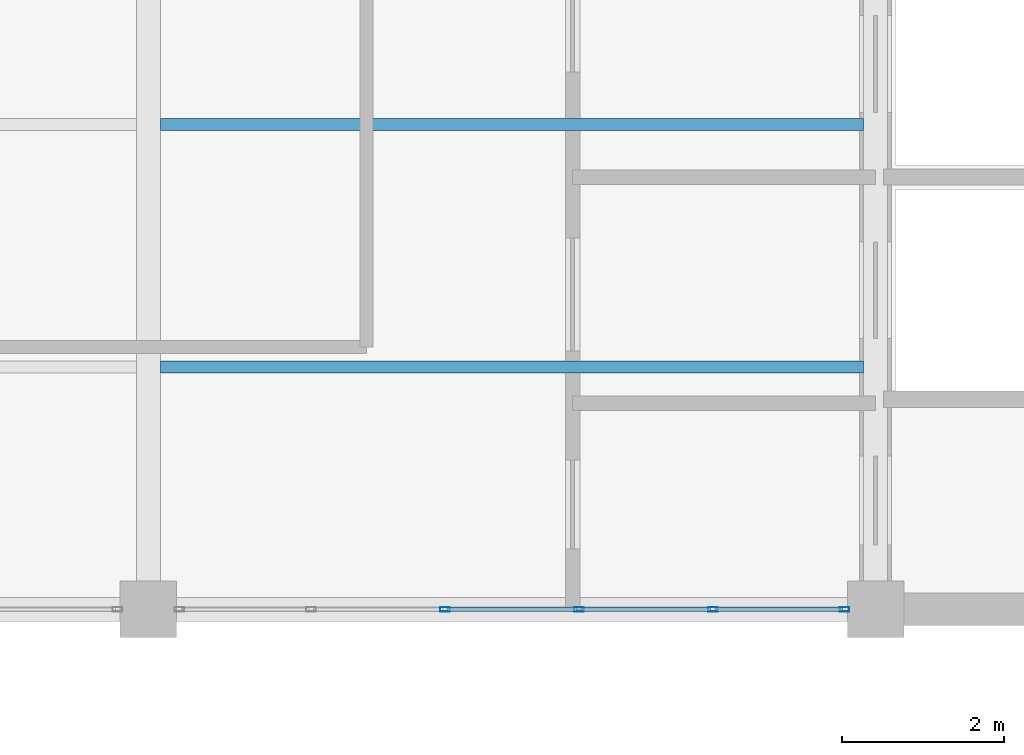
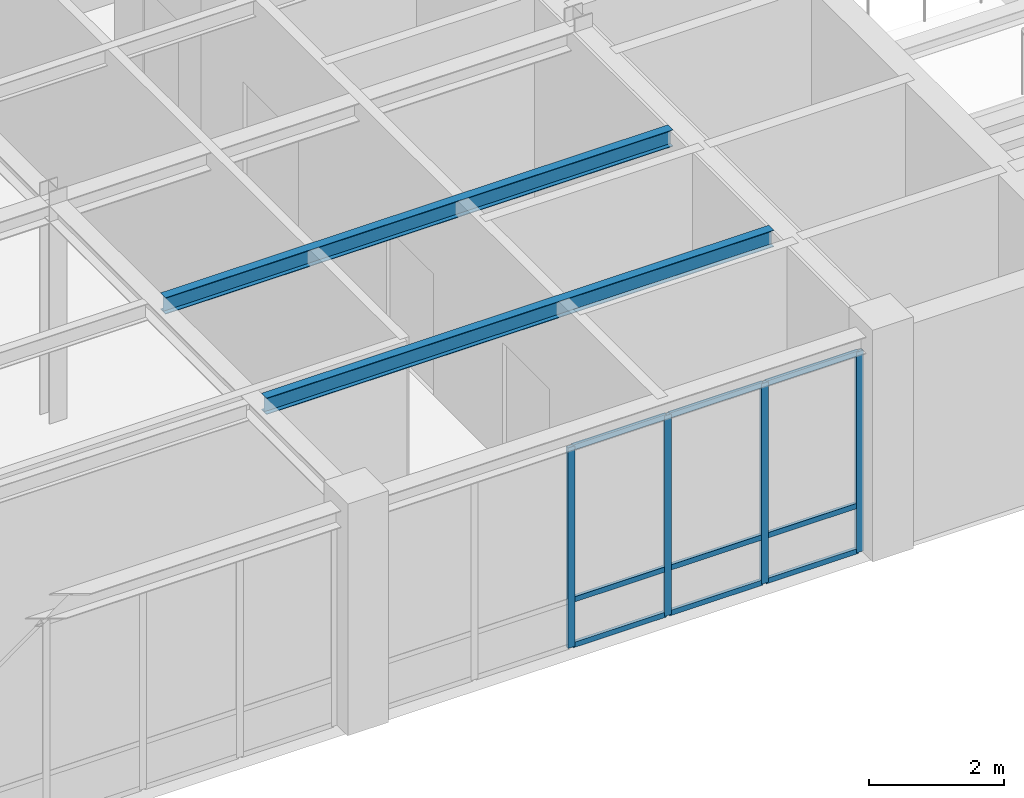
# One storey, part 71 of 108: 13 members, 2 beams, 1 element without a shape of its own.
"""IFC4 building model written with IfcOpenShell, lengths in metres."""

from ifc_helpers import new_model, si_unit, direction, frame, origin, origin_2d, place, context, subcontext, project, spatial, hollow_rectangle, i_section, extrude, material, material_profile, profile_set, type_object, element, aggregate, save


model = new_model("IFC4")

# Units and contexts
model_context = context("Model", 3, precision=1e-05, world=origin(), true_north=direction((0.0, 1.0)))
body_context = subcontext(model_context, "Body", "Model", "MODEL_VIEW")
ifc_project = project(units=[si_unit("LENGTHUNIT", "METRE"), si_unit("AREAUNIT", "SQUARE_METRE"), si_unit("VOLUMEUNIT", "CUBIC_METRE"), si_unit("PLANEANGLEUNIT", "RADIAN"), si_unit("MASSUNIT", "GRAM", prefix="KILO")], contexts=[model_context])

# Site, building, storey
site_placement = place(None, origin())
site = spatial("IfcSite", under=ifc_project, at=site_placement, CompositionType="ELEMENT")
building_placement = place(site_placement, origin())
building = spatial("IfcBuilding", under=site, at=building_placement, Name="Lykobir Media Centre", CompositionType="ELEMENT")
storey_placement = place(building_placement, frame((0.0, 0.0, 15.0)))
storey = spatial("IfcBuildingStorey", under=building, at=storey_placement, Name="L03", CompositionType="ELEMENT", Elevation=15.0)

# Curtain wall, members
ifc_material_1 = material(Name="Anodized Aluminium AW-6060", Category="aluminium")
curtain_wall_type = type_object("IfcCurtainWallType", Name="CW-COURT-B", PredefinedType="NOTDEFINED", material=ifc_material_1)
curtain_wall_placement = place(storey_placement, origin())
curtain_wall = element("IfcCurtainWall", 1, at=curtain_wall_placement, inside=storey, type_object=curtain_wall_type, Name="Curtain wall CW2-L03-0148", PredefinedType="NOTDEFINED")
ifc_material_profile_1 = material_profile(ifc_material_1, hollow_rectangle(XDim=0.054931640625, YDim=0.1201171875, WallThickness=0.003173828125, at=origin_2d()), Name="ALU MULLION 55x120")
ifc_profile_set_1 = profile_set([ifc_material_profile_1], Name="Anodized Aluminium AW-6060")
member_type_1 = type_object("IfcMemberType", Name="CWM-120", PredefinedType="MULLION", material=ifc_profile_set_1)
member_1_placement = place(storey_placement, frame((125.617431640625, 72.0, 0.0), z_axis=(0.0, 0.0, 1.0), x_axis=(0.0, -1.0, 0.0)))
member_1 = element("IfcMember", 2, at=member_1_placement, type_object=member_type_1, Name="CW2-L03-0148 mullion 1", PredefinedType="MULLION", context=body_context, shape_type="SweptSolid", body=[
    extrude(hollow_rectangle(XDim=0.054931640625, YDim=0.1201171875, WallThickness=0.003173828125, at=origin_2d()), origin(), (0.0, 0.0, 1.0), 3.635009765625),
])
member_2_placement = place(storey_placement, frame((123.987060546875, 72.0, 0.0), z_axis=(0.0, 0.0, 1.0), x_axis=(0.0, -1.0, 0.0)))
member_2 = element("IfcMember", 3, at=member_2_placement, type_object=member_type_1, Name="CW2-L03-0148 mullion 2", PredefinedType="MULLION", context=body_context, shape_type="SweptSolid", body=[
    extrude(hollow_rectangle(XDim=0.054931640625, YDim=0.1201171875, WallThickness=0.003173828125, at=origin_2d()), origin(), (0.0, 0.0, 1.0), 3.635009765625),
])
member_3_placement = place(storey_placement, frame((122.3291015625, 72.0, 0.0), z_axis=(0.0, 0.0, 1.0), x_axis=(0.0, -1.0, 0.0)))
member_3 = element("IfcMember", 4, at=member_3_placement, type_object=member_type_1, Name="CW2-L03-0148 mullion 3", PredefinedType="MULLION", context=body_context, shape_type="SweptSolid", body=[
    extrude(hollow_rectangle(XDim=0.054931640625, YDim=0.1201171875, WallThickness=0.003173828125, at=origin_2d()), origin(), (0.0, 0.0, 1.0), 3.635009765625),
])
member_4_placement = place(storey_placement, frame((120.6708984375, 72.0, 0.0), z_axis=(0.0, 0.0, 1.0), x_axis=(0.0, -1.0, 0.0)))
member_4 = element("IfcMember", 5, at=member_4_placement, type_object=member_type_1, Name="CW2-L03-0148 mullion 4", PredefinedType="MULLION", context=body_context, shape_type="SweptSolid", body=[
    extrude(hollow_rectangle(XDim=0.054931640625, YDim=0.1201171875, WallThickness=0.003173828125, at=origin_2d()), origin(), (0.0, 0.0, 1.0), 3.635009765625),
])
ifc_material_profile_2 = material_profile(ifc_material_1, hollow_rectangle(XDim=0.054931640625, YDim=0.094970703125, WallThickness=0.0029296875, at=origin_2d()), Name="ALU TRANSOM 55x95")
ifc_profile_set_2 = profile_set([ifc_material_profile_2], Name="Anodized Aluminium AW-6060")
member_type_2 = type_object("IfcMemberType", Name="CWT-095", PredefinedType="USERDEFINED", material=ifc_profile_set_2)
member_5_placement = place(storey_placement, frame((125.590087890625, 72.0, 0.027587890625), z_axis=(-1.0, 0.0, 0.0), x_axis=(0.0, -1.0, 0.0)))
member_5 = element("IfcMember", 6, at=member_5_placement, type_object=member_type_2, Name="CW2-L03-0148 transom 1.1", ObjectType="TRANSOM", PredefinedType="USERDEFINED", context=body_context, shape_type="SweptSolid", body=[
    extrude(hollow_rectangle(XDim=0.054931640625, YDim=0.094970703125, WallThickness=0.0029296875, at=origin_2d()), origin(), (0.0, 0.0, 1.0), 1.57568359375),
])
member_6_placement = place(storey_placement, frame((125.590087890625, 72.0, 0.85009765625), z_axis=(-1.0, 0.0, 0.0), x_axis=(0.0, -1.0, 0.0)))
member_6 = element("IfcMember", 7, at=member_6_placement, type_object=member_type_2, Name="CW2-L03-0148 transom 1.2", ObjectType="TRANSOM", PredefinedType="USERDEFINED", context=body_context, shape_type="SweptSolid", body=[
    extrude(hollow_rectangle(XDim=0.054931640625, YDim=0.094970703125, WallThickness=0.0029296875, at=origin_2d()), origin(), (0.0, 0.0, 1.0), 1.57568359375),
])
member_7_placement = place(storey_placement, frame((125.590087890625, 72.0, 3.607421875), z_axis=(-1.0, 0.0, 0.0), x_axis=(0.0, -1.0, 0.0)))
member_7 = element("IfcMember", 8, at=member_7_placement, type_object=member_type_2, Name="CW2-L03-0148 transom 1.3", ObjectType="TRANSOM", PredefinedType="USERDEFINED", context=body_context, shape_type="SweptSolid", body=[
    extrude(hollow_rectangle(XDim=0.054931640625, YDim=0.094970703125, WallThickness=0.0029296875, at=origin_2d()), origin(), (0.0, 0.0, 1.0), 1.57568359375),
])
member_8_placement = place(storey_placement, frame((123.95947265625, 72.0, 0.027587890625), z_axis=(-1.0, 0.0, 0.0), x_axis=(0.0, -1.0, 0.0)))
member_8 = element("IfcMember", 9, at=member_8_placement, type_object=member_type_2, Name="CW2-L03-0148 transom 2.1", ObjectType="TRANSOM", PredefinedType="USERDEFINED", context=body_context, shape_type="SweptSolid", body=[
    extrude(hollow_rectangle(XDim=0.054931640625, YDim=0.094970703125, WallThickness=0.0029296875, at=origin_2d()), origin(), (0.0, 0.0, 1.0), 1.60302734375),
])
member_9_placement = place(storey_placement, frame((123.95947265625, 72.0, 0.85009765625), z_axis=(-1.0, 0.0, 0.0), x_axis=(0.0, -1.0, 0.0)))
member_9 = element("IfcMember", 10, at=member_9_placement, type_object=member_type_2, Name="CW2-L03-0148 transom 2.2", ObjectType="TRANSOM", PredefinedType="USERDEFINED", context=body_context, shape_type="SweptSolid", body=[
    extrude(hollow_rectangle(XDim=0.054931640625, YDim=0.094970703125, WallThickness=0.0029296875, at=origin_2d()), origin(), (0.0, 0.0, 1.0), 1.60302734375),
])
member_10_placement = place(storey_placement, frame((123.95947265625, 72.0, 3.607421875), z_axis=(-1.0, 0.0, 0.0), x_axis=(0.0, -1.0, 0.0)))
member_10 = element("IfcMember", 11, at=member_10_placement, type_object=member_type_2, Name="CW2-L03-0148 transom 2.3", ObjectType="TRANSOM", PredefinedType="USERDEFINED", context=body_context, shape_type="SweptSolid", body=[
    extrude(hollow_rectangle(XDim=0.054931640625, YDim=0.094970703125, WallThickness=0.0029296875, at=origin_2d()), origin(), (0.0, 0.0, 1.0), 1.60302734375),
])
member_11_placement = place(storey_placement, frame((122.301513671875, 72.0, 0.027587890625), z_axis=(-1.0, 0.0, 0.0), x_axis=(0.0, -1.0, 0.0)))
member_11 = element("IfcMember", 12, at=member_11_placement, type_object=member_type_2, Name="CW2-L03-0148 transom 3.1", ObjectType="TRANSOM", PredefinedType="USERDEFINED", context=body_context, shape_type="SweptSolid", body=[
    extrude(hollow_rectangle(XDim=0.054931640625, YDim=0.094970703125, WallThickness=0.0029296875, at=origin_2d()), origin(), (0.0, 0.0, 1.0), 1.60302734375),
])
member_12_placement = place(storey_placement, frame((122.301513671875, 72.0, 0.85009765625), z_axis=(-1.0, 0.0, 0.0), x_axis=(0.0, -1.0, 0.0)))
member_12 = element("IfcMember", 13, at=member_12_placement, type_object=member_type_2, Name="CW2-L03-0148 transom 3.2", ObjectType="TRANSOM", PredefinedType="USERDEFINED", context=body_context, shape_type="SweptSolid", body=[
    extrude(hollow_rectangle(XDim=0.054931640625, YDim=0.094970703125, WallThickness=0.0029296875, at=origin_2d()), origin(), (0.0, 0.0, 1.0), 1.60302734375),
])
member_13_placement = place(storey_placement, frame((122.301513671875, 72.0, 3.607421875), z_axis=(-1.0, 0.0, 0.0), x_axis=(0.0, -1.0, 0.0)))
member_13 = element("IfcMember", 14, at=member_13_placement, type_object=member_type_2, Name="CW2-L03-0148 transom 3.3", ObjectType="TRANSOM", PredefinedType="USERDEFINED", context=body_context, shape_type="SweptSolid", body=[
    extrude(hollow_rectangle(XDim=0.054931640625, YDim=0.094970703125, WallThickness=0.0029296875, at=origin_2d()), origin(), (0.0, 0.0, 1.0), 1.60302734375),
])
aggregate(curtain_wall, [member_1, member_2, member_3, member_4, member_5, member_6, member_7, member_8, member_9, member_10, member_11, member_12, member_13])

# Beams
ifc_material_2 = material(Name="Steel S355", Category="steel")
ifc_material_profile_3 = material_profile(ifc_material_2, i_section(OverallWidth=0.14990234375, OverallDepth=0.300048828125, WebThickness=0.007080078125, FlangeThickness=0.0107421875, at=origin_2d()), Name="IPE 300")
ifc_profile_set_3 = profile_set([ifc_material_profile_3], Name="Steel S355")
beam_type = type_object("IfcBeamType", Name="JS-IPE300", PredefinedType="JOIST", material=ifc_profile_set_3)
for number, where, z_axis, x_axis, name in (
    (15, (117.14990234375, 75.0, 3.81005859375), (1.0, 0.0, 0.0), (0.0, 1.0, 0.0), "Beam BM-L03-1172-0750-1258-0750-1881"),
    (16, (117.14990234375, 78.0, 3.81005859375), (1.0, 0.0, 0.0), (0.0, 1.0, 0.0), "Beam BM-L03-1172-0780-1258-0780-1881"),
):
    element("IfcBeam", number, at=place(storey_placement, frame(where, z_axis=z_axis, x_axis=x_axis)), inside=storey, type_object=beam_type, Name=name, PredefinedType="JOIST", context=body_context, shape_type="SweptSolid", body=[
        extrude(i_section(OverallWidth=0.14990234375, OverallDepth=0.300048828125, WebThickness=0.007080078125, FlangeThickness=0.0107421875, at=origin_2d()), origin(), (0.0, 0.0, 1.0), 8.7001953125),
    ])

save(model, "model.ifc")
